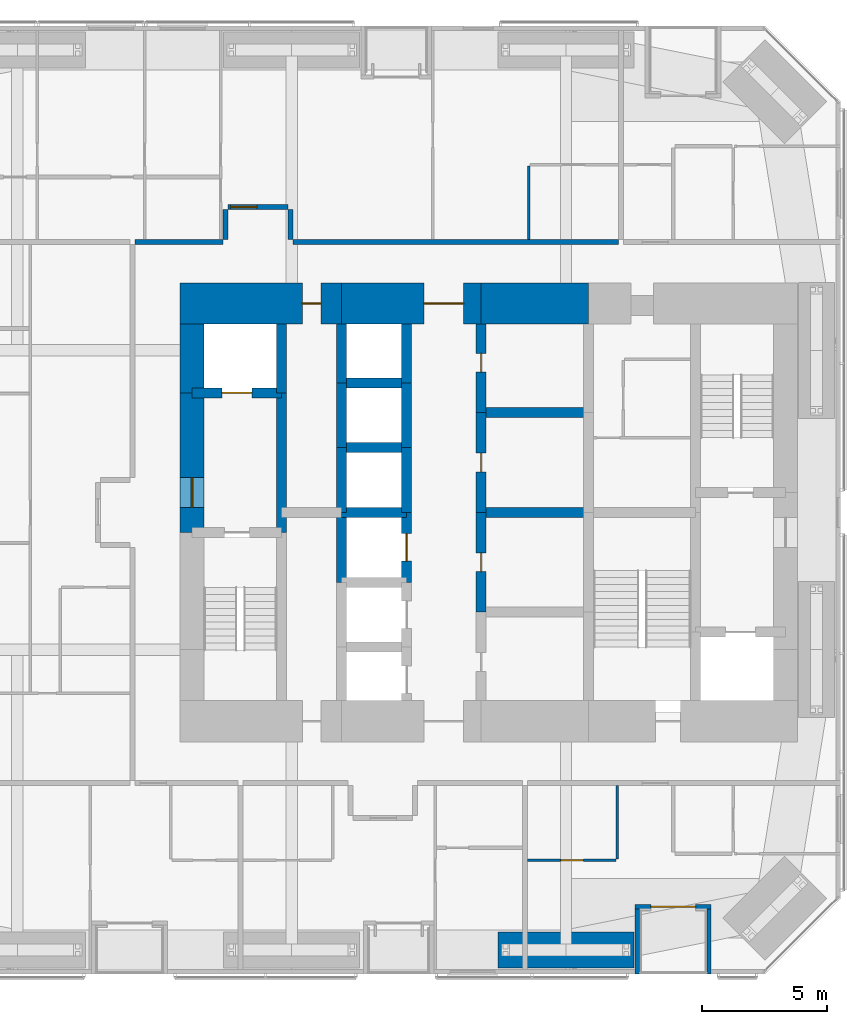
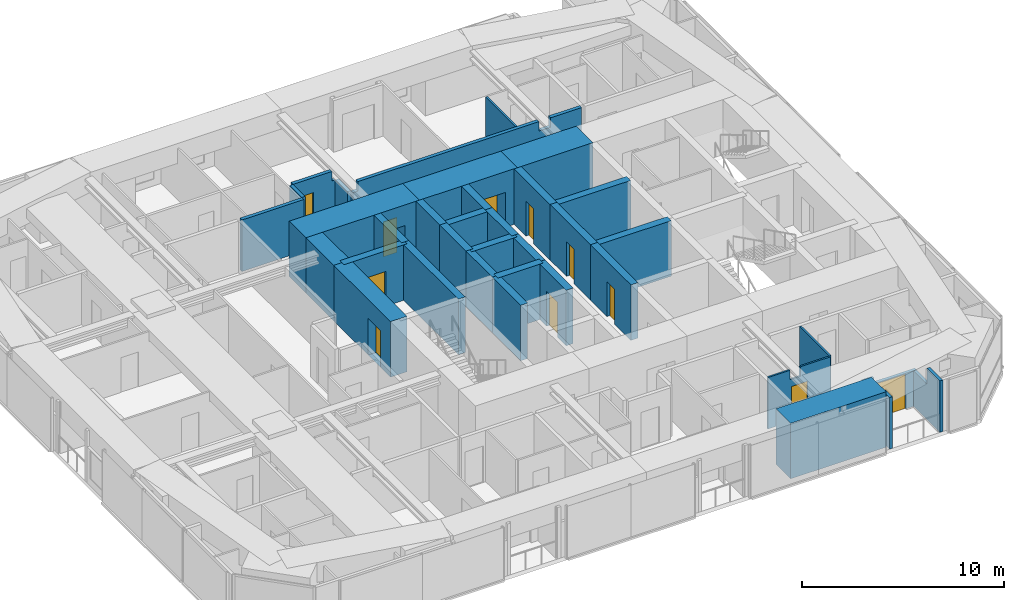
# One storey, part 19 of 23: 37 walls, 11 doors, 11 openings.
"""IFC4 building model written with IfcOpenShell, lengths in metres."""

import ifcopenshell
import ifcopenshell.guid

model = None  # the IFC model being written
_history = None  # IfcOwnerHistory: only IFC2X3 demands one
_inside = {}  # id of a spatial element -> (the spatial element, [elements in it])
_under = {}  # id of a project, library or spatial element -> (it, [spatial elements below it])
_declared = {}  # id of a project -> (the project, [libraries it declares])
_typed = {}  # id of a type object -> (the type object, [elements of that type])
_made_of = {}  # id of a material, layer set ... -> (it, [elements and type objects made of it])


def new_model(schema):
    """Start an empty IFC model of exactly this schema.

    Asked for "IFC4X3", IfcOpenShell would pick the latest addendum, in which some entities
    have other attributes; the version numbers below select the first issue.
    IFC2X3 requires an IfcOwnerHistory on every rooted entity: one is made here for all.
    """
    global model, _history
    if schema == "IFC4X3":
        model = ifcopenshell.file(schema_version=(4, 3, 0, 0))
    else:
        model = ifcopenshell.file(schema=schema)
    _inside.clear()
    _under.clear()
    _declared.clear()
    _typed.clear()
    _made_of.clear()
    _history = None
    if model.schema == "IFC2X3":
        org = make("IfcOrganization", Name="unknown")
        user = make(
            "IfcPersonAndOrganization",
            ThePerson=make("IfcPerson", FamilyName="unknown"),
            TheOrganization=org,
        )
        app = make(
            "IfcApplication",
            ApplicationDeveloper=org,
            Version="unknown",
            ApplicationFullName="unknown",
            ApplicationIdentifier="unknown",
        )
        _history = make(
            "IfcOwnerHistory",
            OwningUser=user,
            OwningApplication=app,
            ChangeAction="ADDED",
            CreationDate=0,
        )
    return model


def make(cls, **values):
    """One entity of the class cls with the attributes given. An attribute that is None is left unset."""
    return model.create_entity(
        cls, **{name: value for name, value in values.items() if value is not None}
    )


def rooted(cls, **values):
    """An entity with a GlobalId (a new one), such as an element, a storey or a relation."""
    return make(cls, GlobalId=ifcopenshell.guid.new(), OwnerHistory=_history, **values)


def si_unit(unit_type, name, prefix=None):
    """IfcSIUnit, for example si_unit("LENGTHUNIT", "METRE", prefix="MILLI")."""
    return make("IfcSIUnit", UnitType=unit_type, Prefix=prefix, Name=name)


def assignment(units):
    """IfcUnitAssignment: the units of a project."""
    return None if units is None else make("IfcUnitAssignment", Units=units)


def point(xyz):
    """IfcCartesianPoint."""
    return None if xyz is None else make("IfcCartesianPoint", Coordinates=xyz)


def direction(xyz):
    """IfcDirection."""
    return None if xyz is None else make("IfcDirection", DirectionRatios=xyz)


def frame(location, z_axis=None, x_axis=None):
    """IfcAxis2Placement3D, a coordinate frame: its origin and axes. An axis left out is left unset."""
    return make(
        "IfcAxis2Placement3D",
        Location=point(location),
        Axis=direction(z_axis),
        RefDirection=direction(x_axis),
    )


def frame_2d(location, x_axis=None):
    """IfcAxis2Placement2D, a coordinate frame in the plane: its origin and x axis."""
    return make(
        "IfcAxis2Placement2D", Location=point(location), RefDirection=direction(x_axis)
    )


def origin():
    """The frame at (0, 0, 0) with its axes left unset."""
    return frame((0.0, 0.0, 0.0))


def place(relative_to, where):
    """IfcLocalPlacement: puts the frame where relative to a parent placement (None: the world)."""
    return make(
        "IfcLocalPlacement", PlacementRelTo=relative_to, RelativePlacement=where
    )


def context(
    kind, dimensions, precision=None, world=None, true_north=None, identifier=None
):
    """IfcGeometricRepresentationContext, for example the 3D "Model" context."""
    return make(
        "IfcGeometricRepresentationContext",
        ContextIdentifier=identifier,
        ContextType=kind,
        CoordinateSpaceDimension=dimensions,
        Precision=precision,
        WorldCoordinateSystem=world,
        TrueNorth=true_north,
    )


def subcontext(parent, identifier, kind, view, scale=None):
    """IfcGeometricRepresentationSubContext, for example "Body" below "Model"."""
    return make(
        "IfcGeometricRepresentationSubContext",
        ContextIdentifier=identifier,
        ContextType=kind,
        ParentContext=parent,
        TargetScale=scale,
        TargetView=view,
    )


def project(units=None, contexts=None):
    """IfcProject with its units and contexts."""
    return rooted(
        "IfcProject",
        Name="project",
        RepresentationContexts=contexts,
        UnitsInContext=assignment(units),
    )


def spatial(cls, under=None, at=None, **own):
    """A site, building, storey or space (cls), placed at a placement, below another one or the project."""
    s = rooted(cls, ObjectPlacement=at, **own)
    if under is not None:
        _under.setdefault(under.id(), (under, []))[1].append(s)
    return s


def polyline(points):
    """IfcPolyline through the points."""
    return make("IfcPolyline", Points=[point(p) for p in points])


def profile(cls, at=None, kind="AREA", **sizes):
    """A parametric profile (cls). Its sizes go by their IFC names, for example OverallWidth=200.0."""
    return make(cls, ProfileType=kind, Position=at, **sizes)


def rectangle(**sizes):
    """IfcRectangleProfileDef."""
    return profile("IfcRectangleProfileDef", **sizes)


def outline(outer, holes=None, kind="AREA"):
    """IfcArbitraryClosedProfileDef: a profile drawn as a closed curve; with holes, ...WithVoids."""
    if holes is None:
        return make("IfcArbitraryClosedProfileDef", ProfileType=kind, OuterCurve=outer)
    return make(
        "IfcArbitraryProfileDefWithVoids",
        ProfileType=kind,
        OuterCurve=outer,
        InnerCurves=holes,
    )


def extrude(swept, where, along, depth):
    """IfcExtrudedAreaSolid: the profile swept, set in the frame where, extruded along a direction by depth."""
    return make(
        "IfcExtrudedAreaSolid",
        SweptArea=swept,
        Position=where,
        ExtrudedDirection=direction(along),
        Depth=depth,
    )


def shape(context_of_items, identifier, shape_type, items):
    """IfcShapeRepresentation: the items that make up one representation, for example the "Body"."""
    return make(
        "IfcShapeRepresentation",
        ContextOfItems=context_of_items,
        RepresentationIdentifier=identifier,
        RepresentationType=shape_type,
        Items=items,
    )


def material(Name=None, Category=None):
    """IfcMaterial."""
    return make("IfcMaterial", Name=Name, Category=Category)


def layer(
    of_material, thickness, ventilated=None, Name=None, Category=None, Priority=None
):
    """IfcMaterialLayer: one layer of a wall or slab, of a material (None: an air gap)."""
    return make(
        "IfcMaterialLayer",
        Material=of_material,
        LayerThickness=thickness,
        IsVentilated=ventilated,
        Name=Name,
        Category=Category,
        Priority=Priority,
    )


def layer_set(layers, Name=None):
    """IfcMaterialLayerSet."""
    return make("IfcMaterialLayerSet", MaterialLayers=layers, LayerSetName=Name)


def constituent(of_material, Name=None, Category=None, fraction=None):
    """IfcMaterialConstituent: one of the materials an element consists of."""
    return make(
        "IfcMaterialConstituent",
        Name=Name,
        Material=of_material,
        Fraction=fraction,
        Category=Category,
    )


def constituent_set(constituents=None, Name=None):
    """IfcMaterialConstituentSet."""
    return make(
        "IfcMaterialConstituentSet", Name=Name, MaterialConstituents=constituents
    )


def made_of(thing, what):
    """Note that an element or type object is made of a material, layer set ...; save() writes the relation."""
    if what is not None:
        _made_of.setdefault(what.id(), (what, []))[1].append(thing)
    return thing


def type_object(cls, material=None, **own):
    """A type object (cls), such as IfcWallType, which elements share."""
    return made_of(rooted(cls, **own), material)


def element(
    cls,
    number,
    at=None,
    inside=None,
    cuts=None,
    type_object=None,
    material=None,
    context=None,
    identifier="Body",
    shape_type=None,
    held_by="IfcProductDefinitionShape",
    body=None,
    shapes=None,
    **own,
):
    """One element of the class cls, such as IfcWall. Its Tag is "e" and its number.

    at: its placement. inside: the storey or other place that contains it. cuts: it is an
    opening in that element (IfcRelVoidsElement). A single representation is given by context,
    identifier, shape_type and body (its items); several are given by shapes. held_by: the class
    of the entity that holds the representations. save() writes the other relations.
    """
    e = rooted(cls, Tag="e%d" % number, ObjectPlacement=at, **own)
    if body is not None:
        shapes = [shape(context, identifier, shape_type, body)]
    if shapes is not None:
        e.Representation = make(held_by, Representations=shapes)
    if inside is not None:
        _inside.setdefault(inside.id(), (inside, []))[1].append(e)
    if cuts is not None:
        rooted(
            "IfcRelVoidsElement", RelatingBuildingElement=cuts, RelatedOpeningElement=e
        )
    if type_object is not None:
        _typed.setdefault(type_object.id(), (type_object, []))[1].append(e)
    return made_of(e, material)


def fill(opening, filler):
    """IfcRelFillsElement: the door or window that sits in an opening."""
    return rooted(
        "IfcRelFillsElement",
        RelatingOpeningElement=opening,
        RelatedBuildingElement=filler,
    )


def aggregate(whole, parts):
    """IfcRelAggregates: a whole, such as a stair, and the parts it consists of."""
    return rooted("IfcRelAggregates", RelatingObject=whole, RelatedObjects=parts)


def save(model, path):
    """Write the relations noted so far, then the file.

    IfcRelAggregates (storeys below a building ...), IfcRelContainedInSpatialStructure (elements
    in a storey), IfcRelDefinesByType, IfcRelAssociatesMaterial and IfcRelDeclares: one each for
    every whole, place, type object, material and project.
    """
    for whole, parts in _under.values():
        aggregate(whole, parts)
    for where, things in _inside.values():
        rooted(
            "IfcRelContainedInSpatialStructure",
            RelatedElements=things,
            RelatingStructure=where,
        )
    for kind, things in _typed.values():
        rooted("IfcRelDefinesByType", RelatedObjects=things, RelatingType=kind)
    for what, things in _made_of.values():
        rooted("IfcRelAssociatesMaterial", RelatedObjects=things, RelatingMaterial=what)
    for by, libraries in _declared.values():
        rooted("IfcRelDeclares", RelatingContext=by, RelatedDefinitions=libraries)
    model.write(path)


model = new_model("IFC4")

# Units and contexts
model_context = context("Model", 3, precision=1e-05, world=origin(), true_north=direction((0.0, 1.0)))
body_context = subcontext(model_context, "Body", "Model", "MODEL_VIEW")
ifc_project = project(units=[si_unit("LENGTHUNIT", "METRE"), si_unit("AREAUNIT", "SQUARE_METRE"), si_unit("VOLUMEUNIT", "CUBIC_METRE"), si_unit("PLANEANGLEUNIT", "RADIAN"), si_unit("MASSUNIT", "GRAM", prefix="KILO")], contexts=[model_context])

# Site, building, storey
site_placement = place(None, origin())
site = spatial("IfcSite", under=ifc_project, at=site_placement, CompositionType="ELEMENT")
building_placement = place(site_placement, origin())
building = spatial("IfcBuilding", under=site, at=building_placement, Name="Jalousie Tower", CompositionType="ELEMENT")
storey_placement = place(building_placement, frame((0.0, 0.0, 31.050048828125)))
storey = spatial("IfcBuildingStorey", under=building, at=storey_placement, Name="L07", CompositionType="ELEMENT", Elevation=31.050048828125)

# Wall
ifc_material_1 = material(Name="Concrete f'c 120 MPa", Category="concrete")
ifc_layer_1 = layer(ifc_material_1, 1.64990234375)
ifc_layer_set_1 = layer_set([ifc_layer_1], Name="Concrete f'c 120 MPa")
wall_type_1 = type_object("IfcWallType", Name="CORE WALL 1650", PredefinedType="SHEAR", material=ifc_layer_set_1)
wall_1_placement = place(storey_placement, frame((35.89990234375, 26.875, 0.0), z_axis=(0.0, 0.0, 1.0), x_axis=(-1.0, 0.0, 0.0)))
element("IfcWall", 1, at=wall_1_placement, inside=storey, type_object=wall_type_1, Name="Core wall NB L07", PredefinedType="SHEAR", context=body_context, shape_type="SweptSolid", body=[
    extrude(rectangle(XDim=4.2998046875, YDim=1.64990234375, at=frame_2d((2.14990234375, 0.0))), origin(), (0.0, 0.0, 1.0), 3.349853515625),
])

# Wall, opening, door
wall_2_placement = place(storey_placement, frame((31.60009765625, 26.875, 0.0), z_axis=(0.0, 0.0, 1.0), x_axis=(-1.0, 0.0, 0.0)))
wall_2 = element("IfcWall", 2, at=wall_2_placement, inside=storey, type_object=wall_type_1, Name="Core wall NC L07", PredefinedType="SHEAR", context=body_context, shape_type="SweptSolid", body=[
    extrude(rectangle(XDim=5.60009765625, YDim=1.64990234375, at=frame_2d((2.800048828125, 0.0))), origin(), (0.0, 0.0, 1.0), 3.349853515625),
])
opening_1_placement = place(wall_2_placement, frame((0.699951171875, 0.0, 0.0)))
opening_1 = element("IfcOpeningElement", 3, at=opening_1_placement, cuts=wall_2, Name="Opening D15", PredefinedType="OPENING", context=body_context, shape_type="SweptSolid", body=[
    extrude(rectangle(XDim=1.60009765625, YDim=2.10009765625, at=frame_2d((0.800048828125, 1.050048828125))), frame((0.0, 0.8349609375, 0.0), z_axis=(0.0, -1.0, 0.0), x_axis=(1.0, 0.0, 0.0)), (0.0, 0.0, 1.0), 1.669921875),
])
ifc_material_2 = material(Name="Steel fire door", Category="steel")
door_type_1 = type_object("IfcDoorType", Name="LIFT LOBBY DOOR 1600", OperationType="DOUBLE_DOOR_SINGLE_SWING", PredefinedType="DOOR", material=ifc_material_2)
door_1_placement = place(opening_1_placement, origin())
door_1 = element("IfcDoor", 4, at=door_1_placement, inside=storey, type_object=door_type_1, Name="Lift lobby north door", OperationType="DOUBLE_DOOR_SINGLE_SWING", OverallHeight=2.10009765625, OverallWidth=1.60009765625, PredefinedType="DOOR", context=body_context, shape_type="SweptSolid", body=[
    extrude(rectangle(XDim=1.60009765625, YDim=2.10009765625, at=frame_2d((0.800048828125, 1.050048828125))), frame((0.0, 0.02490234375, 0.0), z_axis=(0.0, -1.0, 0.0), x_axis=(1.0, 0.0, 0.0)), (0.0, 0.0, 1.0), 0.050048828125),
])
fill(opening_1, door_1)

wall_3_placement = place(storey_placement, frame((26.0, 26.875, 0.0), z_axis=(0.0, 0.0, 1.0), x_axis=(-1.0, 0.0, 0.0)))
wall_3 = element("IfcWall", 5, at=wall_3_placement, inside=storey, type_object=wall_type_1, Name="Core wall ND L07", PredefinedType="SHEAR", context=body_context, shape_type="SweptSolid", body=[
    extrude(rectangle(XDim=6.47509765625, YDim=1.64990234375, at=frame_2d((3.237548828125, 0.0))), origin(), (0.0, 0.0, 1.0), 3.349853515625),
])
opening_2_placement = place(wall_3_placement, frame((0.824951171875, 0.0, 0.0)))
opening_2 = element("IfcOpeningElement", 6, at=opening_2_placement, cuts=wall_3, Name="Opening D16", PredefinedType="OPENING", context=body_context, shape_type="SweptSolid", body=[
    extrude(rectangle(XDim=0.75, YDim=2.10009765625, at=frame_2d((0.375, 1.050048828125))), frame((0.0, 0.8349609375, 0.0), z_axis=(0.0, -1.0, 0.0), x_axis=(1.0, 0.0, 0.0)), (0.0, 0.0, 1.0), 1.669921875),
])
ifc_material_3 = material(Name="Steel fire door", Category="steel")
door_type_2 = type_object("IfcDoorType", Name="RISER DOOR 750", OperationType="SINGLE_SWING_LEFT", PredefinedType="DOOR", material=ifc_material_3)
door_2_placement = place(opening_2_placement, origin())
door_2 = element("IfcDoor", 7, at=door_2_placement, inside=storey, type_object=door_type_2, Name="North riser door", OperationType="SINGLE_SWING_RIGHT", OverallHeight=2.10009765625, OverallWidth=0.75, PredefinedType="DOOR", context=body_context, shape_type="SweptSolid", body=[
    extrude(rectangle(XDim=0.75, YDim=2.10009765625, at=frame_2d((0.375, 1.050048828125))), frame((0.0, 0.02490234375, 0.0), z_axis=(0.0, -1.0, 0.0), x_axis=(1.0, 0.0, 0.0)), (0.0, 0.0, 1.0), 0.050048828125),
])
fill(opening_2, door_2)

# Walls
ifc_material_4 = material(Name="Concrete f'c 120 MPa", Category="concrete")
ifc_layer_2 = layer(ifc_material_4, 0.39990234375)
ifc_layer_set_2 = layer_set([ifc_layer_2], Name="Concrete f'c 120 MPa")
wall_type_2 = type_object("IfcWallType", Name="CORE WALL 400", PredefinedType="SHEAR", material=ifc_layer_set_2)
wall_4_placement = place(storey_placement, frame((23.60009765625, 17.699951171875, 0.0), z_axis=(0.0, 0.0, 1.0), x_axis=(0.0, 1.0, 0.0)))
element("IfcWall", 8, at=wall_4_placement, inside=storey, type_object=wall_type_2, Name="Core wall X23.6B L07", PredefinedType="SHEAR", context=body_context, shape_type="SweptSolid", body=[
    extrude(rectangle(XDim=5.60009765625, YDim=0.39990234375, at=frame_2d((2.800048828125, 0.0))), origin(), (0.0, 0.0, 1.0), 3.349853515625),
])
wall_5_placement = place(storey_placement, frame((23.60009765625, 23.300048828125, 0.0), z_axis=(0.0, 0.0, 1.0), x_axis=(0.0, 1.0, 0.0)))
element("IfcWall", 9, at=wall_5_placement, inside=storey, type_object=wall_type_2, Name="Core wall X23.6C L07", PredefinedType="SHEAR", context=body_context, shape_type="SweptSolid", body=[
    extrude(rectangle(XDim=2.75, YDim=0.39990234375, at=frame_2d((1.375, 0.0))), origin(), (0.0, 0.0, 1.0), 3.349853515625),
])
wall_6_placement = place(storey_placement, frame((26.0, 15.699951171875, 0.0), z_axis=(0.0, 0.0, 1.0), x_axis=(0.0, 1.0, 0.0)))
element("IfcWall", 10, at=wall_6_placement, inside=storey, type_object=wall_type_2, Name="Core wall X26C L07", PredefinedType="SHEAR", context=body_context, shape_type="SweptSolid", body=[
    extrude(rectangle(XDim=2.800048828125, YDim=0.39990234375, at=frame_2d((1.39990234375, 0.0))), origin(), (0.0, 0.0, 1.0), 3.349853515625),
])
wall_7_placement = place(storey_placement, frame((26.0, 18.5, 0.0), z_axis=(0.0, 0.0, 1.0), x_axis=(0.0, 1.0, 0.0)))
element("IfcWall", 11, at=wall_7_placement, inside=storey, type_object=wall_type_2, Name="Core wall X26D L07", PredefinedType="SHEAR", context=body_context, shape_type="SweptSolid", body=[
    extrude(rectangle(XDim=2.60009765625, YDim=0.39990234375, at=frame_2d((1.300048828125, 0.0))), origin(), (0.0, 0.0, 1.0), 3.349853515625),
])
wall_8_placement = place(storey_placement, frame((26.0, 21.10009765625, 0.0), z_axis=(0.0, 0.0, 1.0), x_axis=(0.0, 1.0, 0.0)))
element("IfcWall", 12, at=wall_8_placement, inside=storey, type_object=wall_type_2, Name="Core wall X26E L07", PredefinedType="SHEAR", context=body_context, shape_type="SweptSolid", body=[
    extrude(rectangle(XDim=2.599853515625, YDim=0.39990234375, at=frame_2d((1.2998046875, 0.0))), origin(), (0.0, 0.0, 1.0), 3.349853515625),
])
wall_9_placement = place(storey_placement, frame((26.0, 23.699951171875, 0.0), z_axis=(0.0, 0.0, 1.0), x_axis=(0.0, 1.0, 0.0)))
element("IfcWall", 13, at=wall_9_placement, inside=storey, type_object=wall_type_2, Name="Core wall X26F L07", PredefinedType="SHEAR", context=body_context, shape_type="SweptSolid", body=[
    extrude(rectangle(XDim=2.35009765625, YDim=0.39990234375, at=frame_2d((1.175048828125, 0.0))), origin(), (0.0, 0.0, 1.0), 3.349853515625),
])

# Wall, opening, door
wall_10_placement = place(storey_placement, frame((28.60009765625, 15.699951171875, 0.0), z_axis=(0.0, 0.0, 1.0), x_axis=(0.0, 1.0, 0.0)))
wall_10 = element("IfcWall", 14, at=wall_10_placement, inside=storey, type_object=wall_type_2, Name="Core wall X28.6C L07", PredefinedType="SHEAR", context=body_context, shape_type="SweptSolid", body=[
    extrude(rectangle(XDim=2.800048828125, YDim=0.39990234375, at=frame_2d((1.39990234375, 0.0))), origin(), (0.0, 0.0, 1.0), 3.349853515625),
])
opening_3_placement = place(wall_10_placement, frame((0.85009765625, 0.0, 0.0)))
opening_3 = element("IfcOpeningElement", 15, at=opening_3_placement, cuts=wall_10, Name="Opening LD1", PredefinedType="OPENING", context=body_context, shape_type="SweptSolid", body=[
    extrude(rectangle(XDim=1.10009765625, YDim=2.10009765625, at=frame_2d((0.550048828125, 1.050048828125))), frame((0.0, 0.2099609375, 0.0), z_axis=(0.0, -1.0, 0.0), x_axis=(1.0, 0.0, 0.0)), (0.0, 0.0, 1.0), 0.419921875),
])
ifc_material_5 = material(Name="Steel lift landing door", Category="steel")
door_type_3 = type_object("IfcDoorType", Name="LIFT LANDING DOOR 1100", OperationType="SLIDING_TO_LEFT", PredefinedType="DOOR", material=ifc_material_5)
door_3_placement = place(opening_3_placement, origin())
door_3 = element("IfcDoor", 16, at=door_3_placement, inside=storey, type_object=door_type_3, Name="Lift P3 landing door", OperationType="SLIDING_TO_LEFT", OverallHeight=2.10009765625, OverallWidth=1.10009765625, PredefinedType="DOOR", context=body_context, shape_type="SweptSolid", body=[
    extrude(rectangle(XDim=1.10009765625, YDim=2.10009765625, at=frame_2d((0.550048828125, 1.050048828125))), frame((0.0, 0.02490234375, 0.0), z_axis=(0.0, -1.0, 0.0), x_axis=(1.0, 0.0, 0.0)), (0.0, 0.0, 1.0), 0.050048828125),
])
fill(opening_3, door_3)

# Walls
wall_11_placement = place(storey_placement, frame((28.60009765625, 18.5, 0.0), z_axis=(0.0, 0.0, 1.0), x_axis=(0.0, 1.0, 0.0)))
element("IfcWall", 17, at=wall_11_placement, inside=storey, type_object=wall_type_2, Name="Core wall X28.6D L07", PredefinedType="SHEAR", context=body_context, shape_type="SweptSolid", body=[
    extrude(rectangle(XDim=2.60009765625, YDim=0.39990234375, at=frame_2d((1.300048828125, 0.0))), origin(), (0.0, 0.0, 1.0), 3.349853515625),
])
wall_12_placement = place(storey_placement, frame((28.60009765625, 21.10009765625, 0.0), z_axis=(0.0, 0.0, 1.0), x_axis=(0.0, 1.0, 0.0)))
element("IfcWall", 18, at=wall_12_placement, inside=storey, type_object=wall_type_2, Name="Core wall X28.6E L07", PredefinedType="SHEAR", context=body_context, shape_type="SweptSolid", body=[
    extrude(rectangle(XDim=2.599853515625, YDim=0.39990234375, at=frame_2d((1.2998046875, 0.0))), origin(), (0.0, 0.0, 1.0), 3.349853515625),
])
wall_13_placement = place(storey_placement, frame((28.60009765625, 23.699951171875, 0.0), z_axis=(0.0, 0.0, 1.0), x_axis=(0.0, 1.0, 0.0)))
element("IfcWall", 19, at=wall_13_placement, inside=storey, type_object=wall_type_2, Name="Core wall X28.6F L07", PredefinedType="SHEAR", context=body_context, shape_type="SweptSolid", body=[
    extrude(rectangle(XDim=2.35009765625, YDim=0.39990234375, at=frame_2d((1.175048828125, 0.0))), origin(), (0.0, 0.0, 1.0), 3.349853515625),
])

# Wall, opening, door
wall_14_placement = place(storey_placement, frame((31.60009765625, 14.5, 0.0), z_axis=(0.0, 0.0, 1.0), x_axis=(0.0, 1.0, 0.0)))
wall_14 = element("IfcWall", 20, at=wall_14_placement, inside=storey, type_object=wall_type_2, Name="Core wall X31.6B L07", PredefinedType="SHEAR", context=body_context, shape_type="SweptSolid", body=[
    extrude(rectangle(XDim=4.0, YDim=0.39990234375, at=frame_2d((2.0, 0.0))), origin(), (0.0, 0.0, 1.0), 3.349853515625),
])
opening_4_placement = place(wall_14_placement, frame((1.625, 0.0, 0.0)))
opening_4 = element("IfcOpeningElement", 21, at=opening_4_placement, cuts=wall_14, Name="Opening D16", PredefinedType="OPENING", context=body_context, shape_type="SweptSolid", body=[
    extrude(rectangle(XDim=0.75, YDim=2.10009765625, at=frame_2d((0.375, 1.050048828125))), frame((0.0, 0.2099609375, 0.0), z_axis=(0.0, -1.0, 0.0), x_axis=(1.0, 0.0, 0.0)), (0.0, 0.0, 1.0), 0.419921875),
])
door_4_placement = place(opening_4_placement, frame((0.75, 0.0, 0.0), z_axis=(0.0, 0.0, 1.0), x_axis=(-1.0, 0.0, 0.0)))
door_4 = element("IfcDoor", 22, at=door_4_placement, inside=storey, type_object=door_type_2, Name="Electrical Room door", OperationType="SINGLE_SWING_LEFT", OverallHeight=2.10009765625, OverallWidth=0.75, PredefinedType="DOOR", context=body_context, shape_type="SweptSolid", body=[
    extrude(rectangle(XDim=0.75, YDim=2.10009765625, at=frame_2d((0.375, 1.050048828125))), frame((0.0, 0.02490234375, 0.0), z_axis=(0.0, -1.0, 0.0), x_axis=(1.0, 0.0, 0.0)), (0.0, 0.0, 1.0), 0.050048828125),
])
fill(opening_4, door_4)

wall_15_placement = place(storey_placement, frame((31.60009765625, 18.5, 0.0), z_axis=(0.0, 0.0, 1.0), x_axis=(0.0, 1.0, 0.0)))
wall_15 = element("IfcWall", 23, at=wall_15_placement, inside=storey, type_object=wall_type_2, Name="Core wall X31.6C L07", PredefinedType="SHEAR", context=body_context, shape_type="SweptSolid", body=[
    extrude(rectangle(XDim=4.0, YDim=0.39990234375, at=frame_2d((2.0, 0.0))), origin(), (0.0, 0.0, 1.0), 3.349853515625),
])
opening_5_placement = place(wall_15_placement, frame((1.625, 0.0, 0.0)))
opening_5 = element("IfcOpeningElement", 24, at=opening_5_placement, cuts=wall_15, Name="Opening D16", PredefinedType="OPENING", context=body_context, shape_type="SweptSolid", body=[
    extrude(rectangle(XDim=0.75, YDim=2.10009765625, at=frame_2d((0.375, 1.050048828125))), frame((0.0, 0.2099609375, 0.0), z_axis=(0.0, -1.0, 0.0), x_axis=(1.0, 0.0, 0.0)), (0.0, 0.0, 1.0), 0.419921875),
])
door_5_placement = place(opening_5_placement, frame((0.75, 0.0, 0.0), z_axis=(0.0, 0.0, 1.0), x_axis=(-1.0, 0.0, 0.0)))
door_5 = element("IfcDoor", 25, at=door_5_placement, inside=storey, type_object=door_type_2, Name="Telecom Room door", OperationType="SINGLE_SWING_LEFT", OverallHeight=2.10009765625, OverallWidth=0.75, PredefinedType="DOOR", context=body_context, shape_type="SweptSolid", body=[
    extrude(rectangle(XDim=0.75, YDim=2.10009765625, at=frame_2d((0.375, 1.050048828125))), frame((0.0, 0.02490234375, 0.0), z_axis=(0.0, -1.0, 0.0), x_axis=(1.0, 0.0, 0.0)), (0.0, 0.0, 1.0), 0.050048828125),
])
fill(opening_5, door_5)

wall_16_placement = place(storey_placement, frame((31.60009765625, 22.5, 0.0), z_axis=(0.0, 0.0, 1.0), x_axis=(0.0, 1.0, 0.0)))
wall_16 = element("IfcWall", 26, at=wall_16_placement, inside=storey, type_object=wall_type_2, Name="Core wall X31.6D L07", PredefinedType="SHEAR", context=body_context, shape_type="SweptSolid", body=[
    extrude(rectangle(XDim=3.550048828125, YDim=0.39990234375, at=frame_2d((1.77490234375, 0.0))), origin(), (0.0, 0.0, 1.0), 3.349853515625),
])
opening_6_placement = place(wall_16_placement, frame((1.625, 0.0, 0.0)))
opening_6 = element("IfcOpeningElement", 27, at=opening_6_placement, cuts=wall_16, Name="Opening D16", PredefinedType="OPENING", context=body_context, shape_type="SweptSolid", body=[
    extrude(rectangle(XDim=0.75, YDim=2.10009765625, at=frame_2d((0.375, 1.050048828125))), frame((0.0, 0.2099609375, 0.0), z_axis=(0.0, -1.0, 0.0), x_axis=(1.0, 0.0, 0.0)), (0.0, 0.0, 1.0), 0.419921875),
])
door_6_placement = place(opening_6_placement, frame((0.75, 0.0, 0.0), z_axis=(0.0, 0.0, 1.0), x_axis=(-1.0, 0.0, 0.0)))
door_6 = element("IfcDoor", 28, at=door_6_placement, inside=storey, type_object=door_type_2, Name="Water Services Room door", OperationType="SINGLE_SWING_LEFT", OverallHeight=2.10009765625, OverallWidth=0.75, PredefinedType="DOOR", context=body_context, shape_type="SweptSolid", body=[
    extrude(rectangle(XDim=0.75, YDim=2.10009765625, at=frame_2d((0.375, 1.050048828125))), frame((0.0, 0.02490234375, 0.0), z_axis=(0.0, -1.0, 0.0), x_axis=(1.0, 0.0, 0.0)), (0.0, 0.0, 1.0), 0.050048828125),
])
fill(opening_6, door_6)

wall_17_placement = place(storey_placement, frame((20.0, 23.300048828125, 0.0), z_axis=(0.0, 0.0, 1.0), x_axis=(1.0, 0.0, 0.0)))
wall_17 = element("IfcWall", 29, at=wall_17_placement, inside=storey, type_object=wall_type_2, Name="Core wall Y20-23.3 L07", PredefinedType="SHEAR", context=body_context, shape_type="SweptSolid", body=[
    extrude(rectangle(XDim=3.60009765625, YDim=0.39990234375, at=frame_2d((1.800048828125, 0.0))), origin(), (0.0, 0.0, 1.0), 3.349853515625),
])
opening_7_placement = place(wall_17_placement, frame((1.199951171875, 0.0, 0.0)))
opening_7 = element("IfcOpeningElement", 30, at=opening_7_placement, cuts=wall_17, Name="Opening LD2", PredefinedType="OPENING", context=body_context, shape_type="SweptSolid", body=[
    extrude(rectangle(XDim=1.199951171875, YDim=2.10009765625, at=frame_2d((0.60009765625, 1.050048828125))), frame((0.0, 0.2099609375, 0.0), z_axis=(0.0, -1.0, 0.0), x_axis=(1.0, 0.0, 0.0)), (0.0, 0.0, 1.0), 0.419921875),
])
ifc_material_6 = material(Name="Steel lift landing door", Category="steel")
door_type_4 = type_object("IfcDoorType", Name="LIFT LANDING DOOR 1200", OperationType="SLIDING_TO_LEFT", PredefinedType="DOOR", material=ifc_material_6)
door_7_placement = place(opening_7_placement, origin())
door_7 = element("IfcDoor", 31, at=door_7_placement, inside=storey, type_object=door_type_4, Name="Lift F1 landing door", OperationType="SLIDING_TO_LEFT", OverallHeight=2.10009765625, OverallWidth=1.199951171875, PredefinedType="DOOR", context=body_context, shape_type="SweptSolid", body=[
    extrude(rectangle(XDim=1.199951171875, YDim=2.10009765625, at=frame_2d((0.60009765625, 1.050048828125))), frame((0.0, 0.02490234375, 0.0), z_axis=(0.0, -1.0, 0.0), x_axis=(1.0, 0.0, 0.0)), (0.0, 0.0, 1.0), 0.050048828125),
])
fill(opening_7, door_7)

# Walls
for number, where, z_axis, x_axis, name in (
    (32, (26.0, 18.5, 0.0), (0.0, 0.0, 1.0), (1.0, 0.0, 0.0), "Core wall Y26-18.5 L07"),
    (33, (26.0, 21.10009765625, 0.0), (0.0, 0.0, 1.0), (1.0, 0.0, 0.0), "Core wall Y26-21.1 L07"),
    (34, (26.0, 23.699951171875, 0.0), (0.0, 0.0, 1.0), (1.0, 0.0, 0.0), "Core wall Y26-23.7 L07"),
):
    element("IfcWall", number, at=place(storey_placement, frame(where, z_axis=z_axis, x_axis=x_axis)), inside=storey, type_object=wall_type_2, Name=name, PredefinedType="SHEAR", context=body_context, shape_type="SweptSolid", body=[
        extrude(rectangle(XDim=2.60009765625, YDim=0.39990234375, at=frame_2d((1.300048828125, 0.0))), origin(), (0.0, 0.0, 1.0), 3.349853515625),
    ])
for number, where, z_axis, x_axis, name in (
    (35, (31.60009765625, 18.5, 0.0), (0.0, 0.0, 1.0), (1.0, 0.0, 0.0), "Core wall Y31.6-18.5 L07"),
    (36, (31.60009765625, 22.5, 0.0), (0.0, 0.0, 1.0), (1.0, 0.0, 0.0), "Core wall Y31.6-22.5 L07"),
):
    element("IfcWall", number, at=place(storey_placement, frame(where, z_axis=z_axis, x_axis=x_axis)), inside=storey, type_object=wall_type_2, Name=name, PredefinedType="SHEAR", context=body_context, shape_type="SweptSolid", body=[
        extrude(rectangle(XDim=4.2998046875, YDim=0.39990234375, at=frame_2d((2.14990234375, 0.0))), origin(), (0.0, 0.0, 1.0), 3.349853515625),
    ])
ifc_material_7 = material(Name="Concrete f'c 120 MPa", Category="concrete")
ifc_layer_3 = layer(ifc_material_7, 0.949951171875)
ifc_layer_set_3 = layer_set([ifc_layer_3], Name="Concrete f'c 120 MPa")
wall_type_3 = type_object("IfcWallType", Name="CORE WALL 950", PredefinedType="SHEAR", material=ifc_layer_set_3)
wall_18_placement = place(storey_placement, frame((20.0, 26.050048828125, 0.0), z_axis=(0.0, 0.0, 1.0), x_axis=(0.0, -1.0, 0.0)))
element("IfcWall", 37, at=wall_18_placement, inside=storey, type_object=wall_type_3, Name="Core wall WA L07", PredefinedType="SHEAR", context=body_context, shape_type="SweptSolid", body=[
    extrude(rectangle(XDim=2.75, YDim=0.949951171875, at=frame_2d((1.375, 0.0))), origin(), (0.0, 0.0, 1.0), 3.349853515625),
])

# Wall, opening, door
wall_19_placement = place(storey_placement, frame((20.0, 23.300048828125, 0.0), z_axis=(0.0, 0.0, 1.0), x_axis=(0.0, -1.0, 0.0)))
wall_19 = element("IfcWall", 38, at=wall_19_placement, inside=storey, type_object=wall_type_3, Name="Core wall WB L07", PredefinedType="SHEAR", context=body_context, shape_type="SweptSolid", body=[
    extrude(rectangle(XDim=5.60009765625, YDim=0.949951171875, at=frame_2d((2.800048828125, 0.0))), origin(), (0.0, 0.0, 1.0), 3.349853515625),
])
opening_8_placement = place(wall_19_placement, frame((3.39990234375, 0.0, 0.0)))
opening_8 = element("IfcOpeningElement", 39, at=opening_8_placement, cuts=wall_19, Name="Opening D11", PredefinedType="OPENING", context=body_context, shape_type="SweptSolid", body=[
    extrude(rectangle(XDim=1.199951171875, YDim=2.199951171875, at=frame_2d((0.60009765625, 1.10009765625))), frame((0.0, 0.48486328125, 0.0), z_axis=(0.0, -1.0, 0.0), x_axis=(1.0, 0.0, 0.0)), (0.0, 0.0, 1.0), 0.969970703125),
])
ifc_material_8 = material(Name="Steel fire door", Category="steel")
door_type_5 = type_object("IfcDoorType", Name="FIRE DOOR 1200", OperationType="SINGLE_SWING_LEFT", PredefinedType="DOOR", material=ifc_material_8)
door_8_placement = place(opening_8_placement, origin())
door_8 = element("IfcDoor", 40, at=door_8_placement, inside=storey, type_object=door_type_5, Name="Fire-fighting lobby A door", OperationType="SINGLE_SWING_RIGHT", OverallHeight=2.199951171875, OverallWidth=1.199951171875, PredefinedType="DOOR", context=body_context, shape_type="SweptSolid", body=[
    extrude(rectangle(XDim=1.199951171875, YDim=2.199951171875, at=frame_2d((0.60009765625, 1.10009765625))), frame((0.0, 0.02490234375, 0.0), z_axis=(0.0, -1.0, 0.0), x_axis=(1.0, 0.0, 0.0)), (0.0, 0.0, 1.0), 0.050048828125),
])
fill(opening_8, door_8)

# Walls
ifc_material_9 = material(Name="Concrete block ASTM C90", Category="concrete")
ifc_constituent_1 = constituent(ifc_material_9, Name="Body")
ifc_material_10 = material(Name="Render")
ifc_constituent_2 = constituent(ifc_material_10, Name="Finish")
ifc_constituent_set_1 = constituent_set(constituents=[ifc_constituent_1, ifc_constituent_2])
wall_type_4 = type_object("IfcWallType", Name="CORRIDOR WALL 200", PredefinedType="PARTITIONING", material=ifc_constituent_set_1)
wall_20_placement = place(storey_placement, frame((17.72509765625, 29.35009765625, 0.0), z_axis=(0.0, 0.0, 1.0), x_axis=(1.0, 0.0, 0.0)))
element("IfcWall", 41, at=wall_20_placement, inside=storey, type_object=wall_type_4, Name="Corridor Wall 200 L07", PredefinedType="PARTITIONING", context=body_context, shape_type="SweptSolid", body=[
    extrude(rectangle(XDim=3.52490234375, YDim=0.199951171875, at=frame_2d((1.762451171875, 0.0))), origin(), (0.0, 0.0, 1.0), 3.10986328125),
])
wall_21_placement = place(storey_placement, frame((24.050048828125, 29.35009765625, 0.0), z_axis=(0.0, 0.0, 1.0), x_axis=(1.0, 0.0, 0.0)))
element("IfcWall", 42, at=wall_21_placement, inside=storey, type_object=wall_type_4, Name="Corridor Wall 200 L07", PredefinedType="PARTITIONING", context=body_context, shape_type="SweptSolid", body=[
    extrude(outline(polyline([(0.0, 0.0), (13.050048828125, 0.0), (13.050048828125, 3.10986328125), (11.287353515625, 3.10986328125), (11.287353515625, 2.541015625), (10.612548828125, 2.541015625), (10.612548828125, 3.10986328125), (0.287353515625, 3.10986328125), (0.287353515625, 2.541015625), (0.0, 2.541015625), (0.0, 3.10986328125), (0.0, 0.0)])), frame((0.0, 0.10009765625, 0.0), z_axis=(0.0, -1.0, 0.0), x_axis=(1.0, 0.0, 0.0)), (0.0, 0.0, 1.0), 0.199951171875),
])

# Wall, opening, door
wall_22_placement = place(storey_placement, frame((21.449951171875, 30.75, 0.0), z_axis=(0.0, 0.0, 1.0), x_axis=(1.0, 0.0, 0.0)))
wall_22 = element("IfcWall", 43, at=wall_22_placement, inside=storey, type_object=wall_type_4, Name="Corridor Wall 200 L07", PredefinedType="PARTITIONING", context=body_context, shape_type="SweptSolid", body=[
    extrude(outline(polyline([(0.0, 0.0), (2.400146484375, 0.0), (2.39990234375, 3.10986328125), (2.39990234375, 2.541015625), (2.212646484375, 2.541015625), (2.212646484375, 3.10986328125), (0.0, 3.10986328125), (0.0, 0.0)])), frame((0.0, 0.10009765625, 0.0), z_axis=(0.0, -1.0, 0.0), x_axis=(1.0, 0.0, 0.0)), (0.0, 0.0, 1.0), 0.199951171875),
])
opening_9_placement = place(wall_22_placement, frame((0.10009765625, 0.0, 0.0)))
opening_9 = element("IfcOpeningElement", 44, at=opening_9_placement, cuts=wall_22, Name="Opening D1", PredefinedType="OPENING", context=body_context, shape_type="SweptSolid", body=[
    extrude(rectangle(XDim=1.050048828125, YDim=2.199951171875, at=frame_2d((0.52490234375, 1.10009765625))), frame((0.0, 0.10986328125, 0.0), z_axis=(0.0, -1.0, 0.0), x_axis=(1.0, 0.0, 0.0)), (0.0, 0.0, 1.0), 0.219970703125),
])
ifc_material_11 = material(Name="Timber fire door", Category="wood")
door_type_6 = type_object("IfcDoorType", Name="APARTMENT ENTRANCE DOOR 1050", OperationType="SINGLE_SWING_LEFT", PredefinedType="DOOR", material=ifc_material_11)
door_9_placement = place(opening_9_placement, origin())
door_9 = element("IfcDoor", 45, at=door_9_placement, inside=storey, type_object=door_type_6, Name="Apartment 0704 entrance", OperationType="SINGLE_SWING_LEFT", OverallHeight=2.199951171875, OverallWidth=1.050048828125, PredefinedType="DOOR", context=body_context, shape_type="SweptSolid", body=[
    extrude(rectangle(XDim=1.050048828125, YDim=2.199951171875, at=frame_2d((0.52490234375, 1.10009765625))), frame((0.0, 0.02490234375, 0.0), z_axis=(0.0, -1.0, 0.0), x_axis=(1.0, 0.0, 0.0)), (0.0, 0.0, 1.0), 0.050048828125),
])
fill(opening_9, door_9)

# Walls
wall_23_placement = place(storey_placement, frame((21.35009765625, 29.449951171875, 0.0), z_axis=(0.0, 0.0, 1.0), x_axis=(0.0, 1.0, 0.0)))
element("IfcWall", 46, at=wall_23_placement, inside=storey, type_object=wall_type_4, Name="Corridor Wall 200 L07", PredefinedType="PARTITIONING", context=body_context, shape_type="SweptSolid", body=[
    extrude(rectangle(XDim=1.199951171875, YDim=0.199951171875, at=frame_2d((0.60009765625, 0.0))), origin(), (0.0, 0.0, 1.0), 3.10986328125),
])
wall_24_placement = place(storey_placement, frame((23.949951171875, 29.449951171875, 0.0), z_axis=(0.0, 0.0, 1.0), x_axis=(0.0, 1.0, 0.0)))
element("IfcWall", 47, at=wall_24_placement, inside=storey, type_object=wall_type_4, Name="Corridor Wall 200 L07", PredefinedType="PARTITIONING", context=body_context, shape_type="SweptSolid", body=[
    extrude(outline(polyline([(0.0, 0.0), (1.199951171875, 0.0), (1.199951171875, 3.10986328125), (1.199951171875, 2.541015625), (0.0, 2.541015625), (0.0, 3.10986328125), (0.0, 0.0)])), frame((0.0, 0.10009765625, 0.0), z_axis=(0.0, -1.0, 0.0), x_axis=(1.0, 0.0, 0.0)), (0.0, 0.0, 1.0), 0.199951171875),
])
ifc_material_12 = material(Name="Concrete f'c 40 MPa", Category="concrete")
ifc_constituent_3 = constituent(ifc_material_12, Name="Body")
ifc_material_13 = material(Name="Render, pastel coral")
ifc_constituent_4 = constituent(ifc_material_13, Name="Finish")
ifc_constituent_set_2 = constituent_set(constituents=[ifc_constituent_3, ifc_constituent_4])
wall_type_5 = type_object("IfcWallType", Name="EXTERNAL WALL 175 CORAL RENDER", PredefinedType="SOLIDWALL", material=ifc_constituent_set_2)
wall_25_placement = place(storey_placement, frame((37.77490234375, 2.6875, 0.0), z_axis=(0.0, 0.0, 1.0), x_axis=(1.0, 0.0, 0.0)))
element("IfcWall", 48, at=wall_25_placement, inside=storey, type_object=wall_type_5, Name="External Wall 175 Coral Render L07-A", PredefinedType="SOLIDWALL", context=body_context, shape_type="SweptSolid", body=[
    extrude(rectangle(XDim=0.625, YDim=0.175048828125, at=frame_2d((0.3125, 0.0))), origin(), (0.0, 0.0, 1.0), 2.510009765625),
])

# Wall, opening, door
wall_26_placement = place(storey_placement, frame((38.39990234375, 2.6875, 0.0), z_axis=(0.0, 0.0, 1.0), x_axis=(1.0, 0.0, 0.0)))
wall_26 = element("IfcWall", 49, at=wall_26_placement, inside=storey, type_object=wall_type_5, Name="External Wall 175 Coral Render L07-B", PredefinedType="SOLIDWALL", context=body_context, shape_type="SweptSolid", body=[
    extrude(rectangle(XDim=2.425048828125, YDim=0.175048828125, at=frame_2d((1.21240234375, 0.0))), origin(), (0.0, 0.0, 1.0), 2.14990234375),
])
opening_10_placement = place(wall_26_placement, origin())
opening_10 = element("IfcOpeningElement", 50, at=opening_10_placement, cuts=wall_26, Name="Opening D-BAL21", PredefinedType="OPENING", context=body_context, shape_type="SweptSolid", body=[
    extrude(rectangle(XDim=1.800048828125, YDim=2.10009765625, at=frame_2d((0.89990234375, 1.050048828125))), frame((0.0, 0.097412109375, 0.0), z_axis=(0.0, -1.0, 0.0), x_axis=(1.0, 0.0, 0.0)), (0.0, 0.0, 1.0), 0.195068359375),
])
ifc_material_14 = material(Name="Aluminium frame, impact-rated glazing", Category="aluminium")
door_type_7 = type_object("IfcDoorType", Name="BALCONY DOOR 1800x2100", OperationType="SLIDING_TO_LEFT", PredefinedType="DOOR", material=ifc_material_14)
door_10_placement = place(opening_10_placement, origin())
door_10 = element("IfcDoor", 51, at=door_10_placement, inside=storey, type_object=door_type_7, Name="Apartment 0703 living and dining room loggia door", OperationType="SLIDING_TO_LEFT", OverallHeight=2.10009765625, OverallWidth=1.800048828125, PredefinedType="DOOR", context=body_context, shape_type="SweptSolid", body=[
    extrude(rectangle(XDim=1.800048828125, YDim=2.10009765625, at=frame_2d((0.89990234375, 1.050048828125))), frame((0.0, 0.02490234375, 0.0), z_axis=(0.0, -1.0, 0.0), x_axis=(1.0, 0.0, 0.0)), (0.0, 0.0, 1.0), 0.050048828125),
])
fill(opening_10, door_10)

# Walls
wall_27_placement = place(storey_placement, frame((37.862548828125, 0.0, 0.0), z_axis=(0.0, 0.0, 1.0), x_axis=(0.0, 1.0, 0.0)))
element("IfcWall", 52, at=wall_27_placement, inside=storey, type_object=wall_type_5, Name="External Wall 175 Coral Render L07", PredefinedType="SOLIDWALL", context=body_context, shape_type="SweptSolid", body=[
    extrude(outline(polyline([(0.0, 0.0), (2.60009765625, 0.0), (2.60009765625, 2.510009765625), (2.358642578125, 2.510009765625), (2.358642578125, 2.14990234375), (0.691650390625, 2.14990234375), (0.691650390625, 3.10986328125), (0.0, 3.10986328125), (0.0, 0.0)])), frame((0.0, 0.08740234375, 0.0), z_axis=(0.0, -1.0, 0.0), x_axis=(1.0, 0.0, 0.0)), (0.0, 0.0, 1.0), 0.175048828125),
])
wall_28_placement = place(storey_placement, frame((40.737548828125, 0.0, 0.0), z_axis=(0.0, 0.0, 1.0), x_axis=(0.0, 1.0, 0.0)))
element("IfcWall", 53, at=wall_28_placement, inside=storey, type_object=wall_type_5, Name="External Wall 175 Coral Render L07", PredefinedType="SOLIDWALL", context=body_context, shape_type="SweptSolid", body=[
    extrude(outline(polyline([(0.0, 0.0), (2.60009765625, 0.0), (2.60009765625, 2.14990234375), (1.269287109375, 2.14990234375), (1.269287109375, 3.10986328125), (0.0, 3.10986328125), (0.0, 0.0)])), frame((0.0, 0.08740234375, 0.0), z_axis=(0.0, -1.0, 0.0), x_axis=(1.0, 0.0, 0.0)), (0.0, 0.0, 1.0), 0.175048828125),
])

# Wall, opening, door
ifc_material_15 = material(Name="Gypsum board", Category="gypsum")
ifc_constituent_5 = constituent(ifc_material_15, Name="Body")
ifc_material_16 = material(Name="Light-gauge steel studs ASTM A653 SS Grade 33", Category="steel")
ifc_constituent_6 = constituent(ifc_material_16, Name="Framing")
ifc_constituent_set_3 = constituent_set(constituents=[ifc_constituent_5, ifc_constituent_6])
wall_type_6 = type_object("IfcWallType", Name="PARTITION 100", PredefinedType="PARTITIONING", material=ifc_constituent_set_3)
wall_29_placement = place(storey_placement, frame((33.449951171875, 4.550048828125, 0.0), z_axis=(0.0, 0.0, 1.0), x_axis=(1.0, 0.0, 0.0)))
wall_29 = element("IfcWall", 54, at=wall_29_placement, inside=storey, type_object=wall_type_6, Name="Partition 100 L07", PredefinedType="PARTITIONING", context=body_context, shape_type="SweptSolid", body=[
    extrude(outline(polyline([(0.0, 0.0), (3.550048828125, 0.0), (3.550048828125, 3.10986328125), (1.83740234375, 3.10986328125), (1.83740234375, 2.541015625), (1.2626953125, 2.541015625), (1.2626953125, 3.10986328125), (0.0, 3.10986328125), (0.0, 0.0)])), frame((0.0, 0.050048828125, 0.0), z_axis=(0.0, -1.0, 0.0), x_axis=(1.0, 0.0, 0.0)), (0.0, 0.0, 1.0), 0.10009765625),
])
opening_11_placement = place(wall_29_placement, frame((1.35009765625, 0.0, 0.0)))
opening_11 = element("IfcOpeningElement", 55, at=opening_11_placement, cuts=wall_29, Name="Opening D7", PredefinedType="OPENING", context=body_context, shape_type="SweptSolid", body=[
    extrude(rectangle(XDim=0.89990234375, YDim=2.10009765625, at=frame_2d((0.449951171875, 1.050048828125))), frame((0.0, 0.06005859375, 0.0), z_axis=(0.0, -1.0, 0.0), x_axis=(1.0, 0.0, 0.0)), (0.0, 0.0, 1.0), 0.1201171875),
])
ifc_material_17 = material(Name="Timber door", Category="wood")
door_type_8 = type_object("IfcDoorType", Name="INTERNAL DOOR 900", OperationType="SINGLE_SWING_LEFT", PredefinedType="DOOR", material=ifc_material_17)
door_11_placement = place(opening_11_placement, frame((0.89990234375, 0.0, 0.0), z_axis=(0.0, 0.0, 1.0), x_axis=(-1.0, 0.0, 0.0)))
door_11 = element("IfcDoor", 56, at=door_11_placement, inside=storey, type_object=door_type_8, Name="Apartment 0703 kitchen door", OperationType="SINGLE_SWING_RIGHT", OverallHeight=2.10009765625, OverallWidth=0.89990234375, PredefinedType="DOOR", context=body_context, shape_type="SweptSolid", body=[
    extrude(rectangle(XDim=0.89990234375, YDim=2.10009765625, at=frame_2d((0.449951171875, 1.050048828125))), frame((0.0, 0.02490234375, 0.0), z_axis=(0.0, -1.0, 0.0), x_axis=(1.0, 0.0, 0.0)), (0.0, 0.0, 1.0), 0.050048828125),
])
fill(opening_11, door_11)

# Walls
for number, where, z_axis, x_axis, name in (
    (57, (37.050048828125, 4.60009765625, 0.0), (0.0, 0.0, 1.0), (0.0, 1.0, 0.0), "Partition 100 L07"),
    (58, (33.5, 32.39990234375, 0.0), (0.0, 0.0, 1.0), (0.0, -1.0, 0.0), "Partition 100 L07"),
):
    element("IfcWall", number, at=place(storey_placement, frame(where, z_axis=z_axis, x_axis=x_axis)), inside=storey, type_object=wall_type_6, Name=name, PredefinedType="PARTITIONING", context=body_context, shape_type="SweptSolid", body=[
        extrude(rectangle(XDim=2.949951171875, YDim=0.10009765625, at=frame_2d((1.47509765625, 0.0))), origin(), (0.0, 0.0, 1.0), 3.10986328125),
    ])
ifc_material_18 = material(Name="Concrete f'c 120 MPa", Category="concrete")
ifc_layer_4 = layer(ifc_material_18, 1.449951171875)
ifc_layer_set_4 = layer_set([ifc_layer_4], Name="Concrete f'c 120 MPa")
wall_type_7 = type_object("IfcWallType", Name="RC WALL PIER 1450", PredefinedType="SHEAR", material=ifc_layer_set_4)
wall_30_placement = place(storey_placement, frame((32.27490234375, 0.949951171875, 0.0), z_axis=(0.0, 0.0, 1.0), x_axis=(1.0, 0.0, 0.0)))
element("IfcWall", 59, at=wall_30_placement, inside=storey, type_object=wall_type_7, Name="Wall pier 04 L07", PredefinedType="SHEAR", context=body_context, shape_type="SweptSolid", body=[
    extrude(rectangle(XDim=5.4501953125, YDim=1.449951171875, at=frame_2d((2.72509765625, 0.0))), origin(), (0.0, 0.0, 1.0), 3.349853515625),
])

save(model, "model.ifc")
